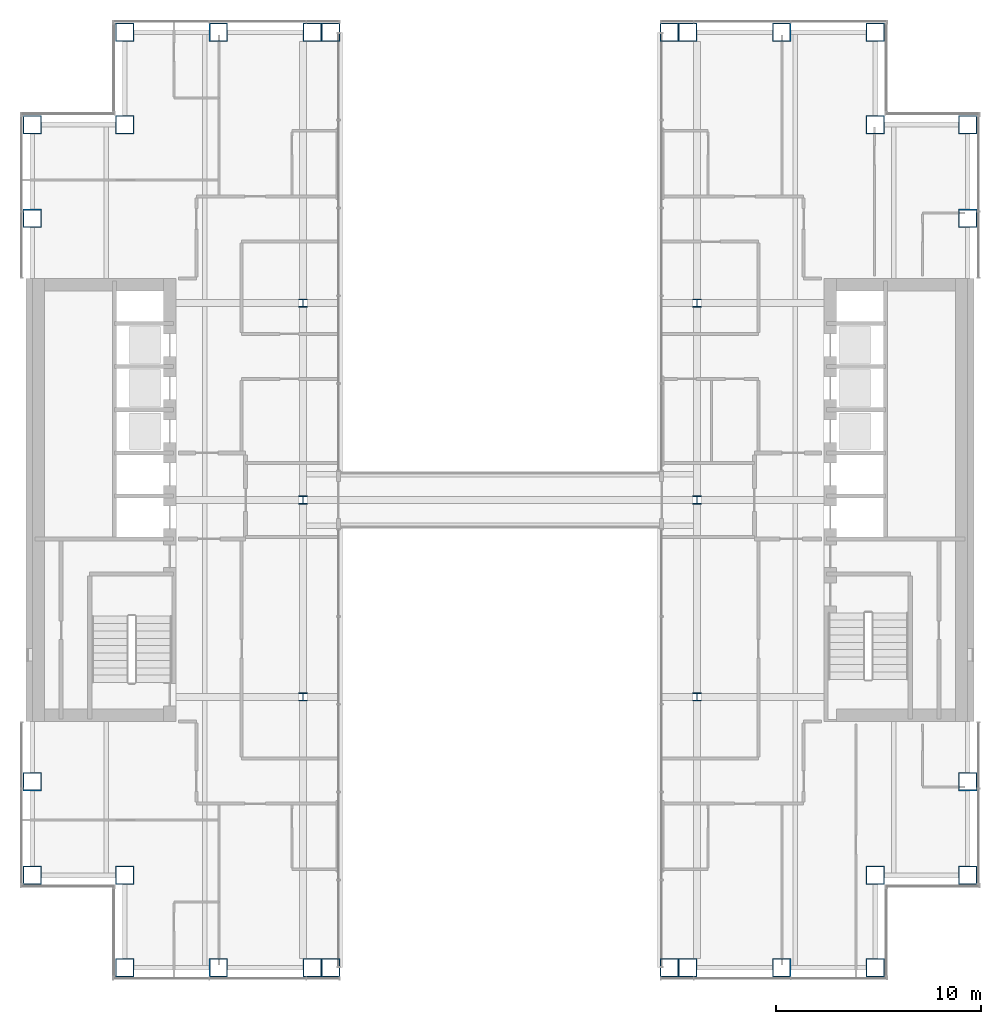
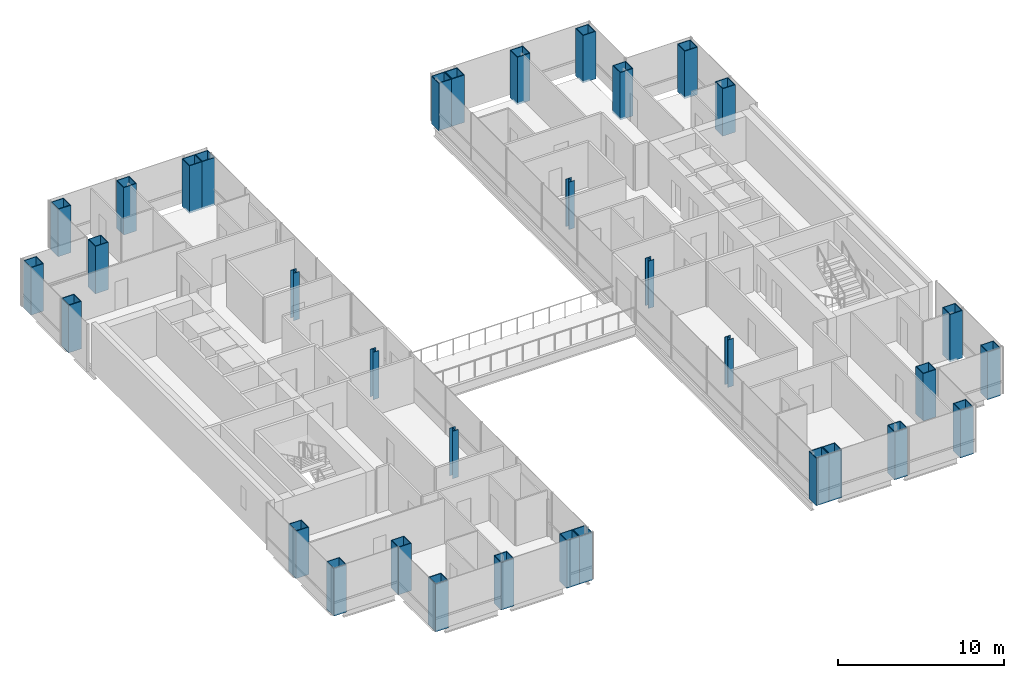
# One storey, part 1 of 16: 34 columns.
"""IFC4 building model written with IfcOpenShell, lengths in metres."""

from ifc_helpers import new_model, si_unit, direction, frame, origin, origin_2d, place, context, subcontext, project, spatial, hollow_rectangle, i_section, extrude, material, material_profile, profile_set, type_object, element, save


model = new_model("IFC4")

# Units and contexts
model_context = context("Model", 3, precision=1e-05, world=origin(), true_north=direction((0.0, 1.0)))
body_context = subcontext(model_context, "Body", "Model", "MODEL_VIEW")
ifc_project = project(units=[si_unit("LENGTHUNIT", "METRE"), si_unit("AREAUNIT", "SQUARE_METRE"), si_unit("VOLUMEUNIT", "CUBIC_METRE"), si_unit("PLANEANGLEUNIT", "RADIAN"), si_unit("MASSUNIT", "GRAM", prefix="KILO")], contexts=[model_context])

# Site, building, storey
site_placement = place(None, origin())
site = spatial("IfcSite", under=ifc_project, at=site_placement, CompositionType="ELEMENT")
building_placement = place(site_placement, origin())
building = spatial("IfcBuilding", under=site, at=building_placement, Name="Cobrizo Arcos Hotel Tower", CompositionType="ELEMENT")
storey_placement = place(building_placement, frame((0.0, 0.0, 120.5)))
storey = spatial("IfcBuildingStorey", under=building, at=storey_placement, Name="L30", CompositionType="ELEMENT", Elevation=120.5)

# Columns
ifc_material_1 = material(Name="Steel ASTM A572 Grade 50", Category="steel")
ifc_material_profile_1 = material_profile(ifc_material_1, hollow_rectangle(XDim=0.89990234375, YDim=0.89990234375, WallThickness=0.050048828125, at=origin_2d()), Name="BOX 900X900X50")
ifc_profile_set_1 = profile_set([ifc_material_profile_1], Name="Steel ASTM A572 Grade 50")
column_type_1 = type_object("IfcColumnType", Name="BOX 900X900X50 column", PredefinedType="COLUMN", material=ifc_profile_set_1)
for number, where, z_axis, x_axis, name in (
    (1, (-18.300048828125, 22.800048828125, -0.14990234375), (0.0, 0.0, 1.0), (1.0, 0.0, 0.0), "Perimeter column C6, L30, no. 00"),
    (2, (-18.300048828125, -22.800048828125, -0.14990234375), (0.0, 0.0, 1.0), (1.0, 0.0, 0.0), "Perimeter column C6, L30, no. 01"),
    (3, (-13.72509765625, 22.800048828125, -0.14990234375), (0.0, 0.0, 1.0), (1.0, 0.0, 0.0), "Perimeter column C6, L30, no. 02"),
    (4, (-13.72509765625, -22.800048828125, -0.14990234375), (0.0, 0.0, 1.0), (1.0, 0.0, 0.0), "Perimeter column C6, L30, no. 03"),
    (5, (-9.14990234375, 22.800048828125, -0.14990234375), (0.0, 0.0, 1.0), (1.0, 0.0, 0.0), "Perimeter column C6, L30, no. 04"),
    (6, (-9.14990234375, -22.800048828125, -0.14990234375), (0.0, 0.0, 1.0), (1.0, 0.0, 0.0), "Perimeter column C6, L30, no. 05"),
    (7, (9.14990234375, 22.800048828125, -0.14990234375), (0.0, 0.0, 1.0), (1.0, 0.0, 0.0), "Perimeter column C6, L30, no. 06"),
    (8, (9.14990234375, -22.800048828125, -0.14990234375), (0.0, 0.0, 1.0), (1.0, 0.0, 0.0), "Perimeter column C6, L30, no. 07"),
    (9, (13.72509765625, 22.800048828125, -0.14990234375), (0.0, 0.0, 1.0), (1.0, 0.0, 0.0), "Perimeter column C6, L30, no. 08"),
    (10, (13.72509765625, -22.800048828125, -0.14990234375), (0.0, 0.0, 1.0), (1.0, 0.0, 0.0), "Perimeter column C6, L30, no. 09"),
    (11, (18.300048828125, 22.800048828125, -0.14990234375), (0.0, 0.0, 1.0), (1.0, 0.0, 0.0), "Perimeter column C6, L30, no. 10"),
    (12, (18.300048828125, -22.800048828125, -0.14990234375), (0.0, 0.0, 1.0), (1.0, 0.0, 0.0), "Perimeter column C6, L30, no. 11"),
    (13, (22.800048828125, -18.300048828125, -0.14990234375), (0.0, 0.0, 1.0), (1.0, 0.0, 0.0), "Perimeter column C6, L30, no. 12"),
    (14, (-22.800048828125, -18.300048828125, -0.14990234375), (0.0, 0.0, 1.0), (1.0, 0.0, 0.0), "Perimeter column C6, L30, no. 13"),
    (15, (22.800048828125, -13.72509765625, -0.14990234375), (0.0, 0.0, 1.0), (1.0, 0.0, 0.0), "Perimeter column C6, L30, no. 14"),
    (16, (-22.800048828125, -13.72509765625, -0.14990234375), (0.0, 0.0, 1.0), (1.0, 0.0, 0.0), "Perimeter column C6, L30, no. 15"),
    (17, (22.800048828125, 13.72509765625, -0.14990234375), (0.0, 0.0, 1.0), (1.0, 0.0, 0.0), "Perimeter column C6, L30, no. 16"),
    (18, (-22.800048828125, 13.72509765625, -0.14990234375), (0.0, 0.0, 1.0), (1.0, 0.0, 0.0), "Perimeter column C6, L30, no. 17"),
    (19, (22.800048828125, 18.300048828125, -0.14990234375), (0.0, 0.0, 1.0), (1.0, 0.0, 0.0), "Perimeter column C6, L30, no. 18"),
    (20, (-22.800048828125, 18.300048828125, -0.14990234375), (0.0, 0.0, 1.0), (1.0, 0.0, 0.0), "Perimeter column C6, L30, no. 19"),
    (21, (-18.300048828125, -18.300048828125, -0.14990234375), (0.0, 0.0, 1.0), (1.0, 0.0, 0.0), "Perimeter column C6, L30, no. 20"),
    (22, (-18.300048828125, 18.300048828125, -0.14990234375), (0.0, 0.0, 1.0), (1.0, 0.0, 0.0), "Perimeter column C6, L30, no. 21"),
    (23, (18.300048828125, -18.300048828125, -0.14990234375), (0.0, 0.0, 1.0), (1.0, 0.0, 0.0), "Perimeter column C6, L30, no. 22"),
    (24, (18.300048828125, 18.300048828125, -0.14990234375), (0.0, 0.0, 1.0), (1.0, 0.0, 0.0), "Perimeter column C6, L30, no. 23"),
    (25, (-8.25, 22.800048828125, -0.14990234375), (0.0, 0.0, 1.0), (1.0, 0.0, 0.0), "Perimeter column C6, L30, no. 24"),
    (26, (-8.25, -22.800048828125, -0.14990234375), (0.0, 0.0, 1.0), (1.0, 0.0, 0.0), "Perimeter column C6, L30, no. 25"),
    (27, (8.25, 22.800048828125, -0.14990234375), (0.0, 0.0, 1.0), (1.0, 0.0, 0.0), "Perimeter column C6, L30, no. 26"),
    (28, (8.25, -22.800048828125, -0.14990234375), (0.0, 0.0, 1.0), (1.0, 0.0, 0.0), "Perimeter column C6, L30, no. 27"),
):
    element("IfcColumn", number, at=place(storey_placement, frame(where, z_axis=z_axis, x_axis=x_axis)), inside=storey, type_object=column_type_1, Name=name, PredefinedType="COLUMN", context=body_context, shape_type="SweptSolid", body=[
        extrude(hollow_rectangle(XDim=0.89990234375, YDim=0.89990234375, WallThickness=0.050048828125, at=origin_2d()), origin(), (0.0, 0.0, 1.0), 3.5),
    ])
ifc_material_2 = material(Name="Steel ASTM A992 Grade 50", Category="steel")
ifc_material_profile_2 = material_profile(ifc_material_2, i_section(OverallWidth=0.398681640625, OverallDepth=0.393798828125, WebThickness=0.022705078125, FlangeThickness=0.03662109375, at=origin_2d()), Name="W14X193")
ifc_profile_set_2 = profile_set([ifc_material_profile_2], Name="Steel ASTM A992 Grade 50")
column_type_2 = type_object("IfcColumnType", Name="W14X193 interior column", PredefinedType="COLUMN", material=ifc_profile_set_2)
for number, where, z_axis, x_axis, name in (
    (29, (-9.60009765625, -9.60009765625, -0.14990234375), (0.0, 0.0, 1.0), (1.0, 0.0, 0.0), "Interior column C7, L30, no. 00"),
    (30, (-9.60009765625, 0.0, -0.14990234375), (0.0, 0.0, 1.0), (1.0, 0.0, 0.0), "Interior column C7, L30, no. 01"),
    (31, (-9.60009765625, 9.60009765625, -0.14990234375), (0.0, 0.0, 1.0), (1.0, 0.0, 0.0), "Interior column C7, L30, no. 02"),
    (32, (9.60009765625, -9.60009765625, -0.14990234375), (0.0, 0.0, 1.0), (1.0, 0.0, 0.0), "Interior column C7, L30, no. 03"),
    (33, (9.60009765625, 0.0, -0.14990234375), (0.0, 0.0, 1.0), (1.0, 0.0, 0.0), "Interior column C7, L30, no. 04"),
    (34, (9.60009765625, 9.60009765625, -0.14990234375), (0.0, 0.0, 1.0), (1.0, 0.0, 0.0), "Interior column C7, L30, no. 05"),
):
    element("IfcColumn", number, at=place(storey_placement, frame(where, z_axis=z_axis, x_axis=x_axis)), inside=storey, type_object=column_type_2, Name=name, PredefinedType="COLUMN", context=body_context, shape_type="SweptSolid", body=[
        extrude(i_section(OverallWidth=0.398681640625, OverallDepth=0.393798828125, WebThickness=0.022705078125, FlangeThickness=0.03662109375, at=origin_2d()), origin(), (0.0, 0.0, 1.0), 3.5),
    ])

save(model, "model.ifc")
